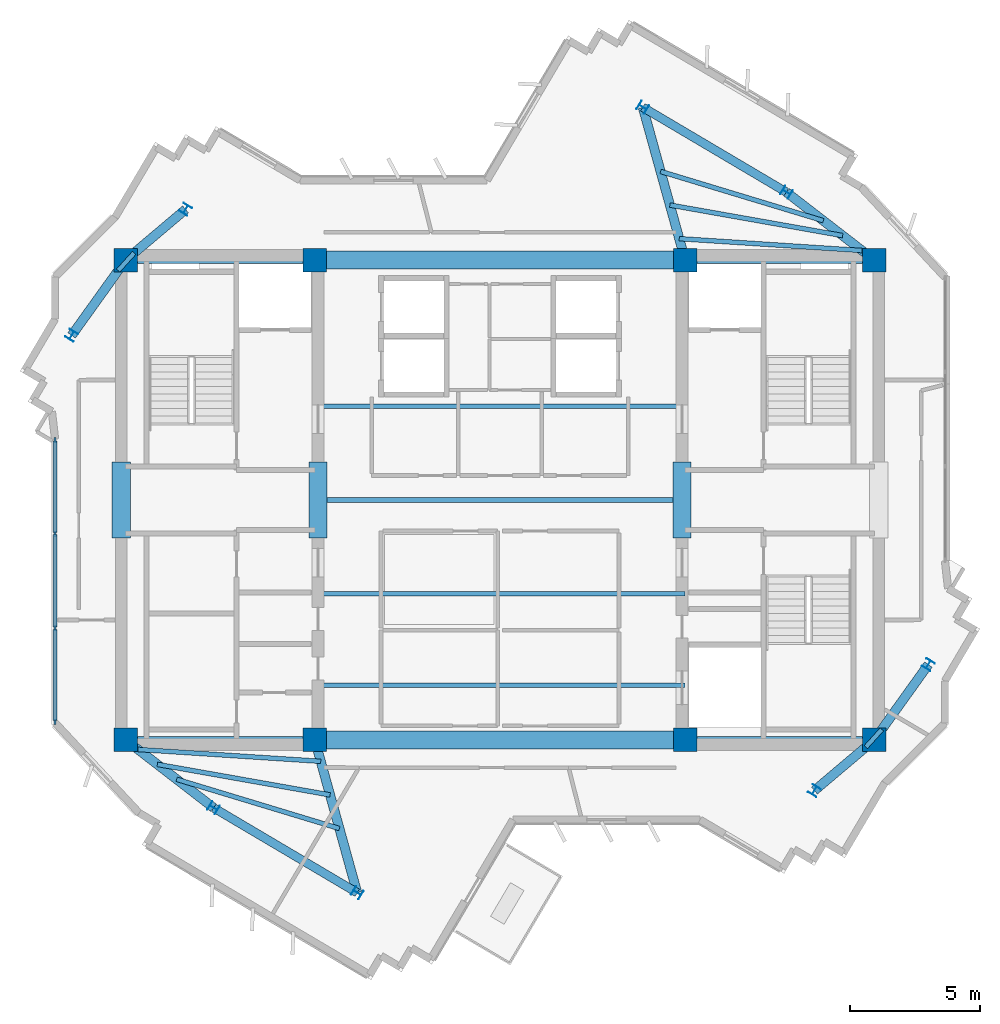
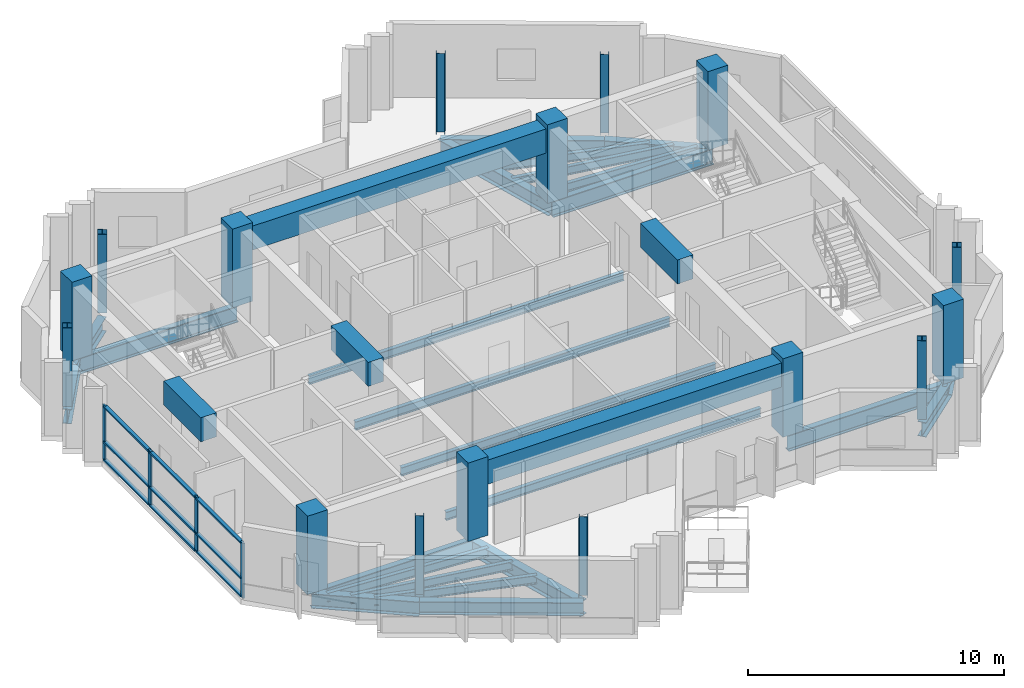
# One storey, part 1 of 10: 31 beams, 16 columns, 13 members, 1 element without a shape of its own.
"""IFC4 building model written with IfcOpenShell, lengths in metres."""

from ifc_helpers import new_model, si_unit, direction, frame, origin, origin_2d, place, context, subcontext, project, spatial, rectangle, i_section, extrude, source, transform, mapped, material, layer, layer_set, material_profile, profile_set, type_object, element, aggregate, save


model = new_model("IFC4")

# Units and contexts
model_context = context("Model", 3, precision=1e-05, world=origin(), true_north=direction((0.0, 1.0)))
body_context = subcontext(model_context, "Body", "Model", "MODEL_VIEW")
ifc_project = project(units=[si_unit("LENGTHUNIT", "METRE"), si_unit("AREAUNIT", "SQUARE_METRE"), si_unit("VOLUMEUNIT", "CUBIC_METRE"), si_unit("PLANEANGLEUNIT", "RADIAN"), si_unit("MASSUNIT", "GRAM", prefix="KILO")], contexts=[model_context])

# Site, building, storey
site_placement = place(None, origin())
site = spatial("IfcSite", under=ifc_project, at=site_placement, CompositionType="ELEMENT")
building_placement = place(site_placement, origin())
building = spatial("IfcBuilding", under=site, at=building_placement, Name="Zahravan Cultural Tower", CompositionType="ELEMENT")
storey_placement = place(building_placement, frame((0.0, 0.0, 342.300048828125)))
storey = spatial("IfcBuildingStorey", under=building, at=storey_placement, Name="L83", CompositionType="ELEMENT", Elevation=342.300048828125)

# Columns
ifc_material_1 = material(Name="Concrete C50/60", Category="concrete")
ifc_material_profile_1 = material_profile(ifc_material_1, rectangle(XDim=0.89990234375, YDim=0.89990234375, at=origin_2d()), Name="RC900X900")
ifc_profile_set_1 = profile_set([ifc_material_profile_1], Name="Concrete C50/60")
column_type_1 = type_object("IfcColumnType", Name="COL-RC900", PredefinedType="COLUMN", material=ifc_profile_set_1)
shared_shape_1 = source(origin(), body_context, "Body", "SweptSolid", [
    extrude(rectangle(XDim=0.89990234375, YDim=0.89990234375, at=origin_2d()), origin(), (0.0, 0.0, 1.0), 3.75),
])
for number, where, z_axis, x_axis, name in (
    (1, (21.64990234375, 17.800048828125, 0.0), (0.0, 0.0, 1.0), (1.0, 0.0, 0.0), "L83 Column CC-W1"),
    (2, (28.89990234375, 17.800048828125, 0.0), (0.0, 0.0, 1.0), (1.0, 0.0, 0.0), "L83 Column CC-W2"),
    (3, (21.64990234375, 36.199951171875, 0.0), (0.0, 0.0, 1.0), (1.0, 0.0, 0.0), "L83 Column CC-W3"),
    (4, (28.89990234375, 36.199951171875, 0.0), (0.0, 0.0, 1.0), (1.0, 0.0, 0.0), "L83 Column CC-W4"),
    (5, (43.10009765625, 17.800048828125, 0.0), (0.0, 0.0, 1.0), (1.0, 0.0, 0.0), "L83 Column CC-E1"),
    (6, (50.35009765625, 17.800048828125, 0.0), (0.0, 0.0, 1.0), (1.0, 0.0, 0.0), "L83 Column CC-E2"),
    (7, (43.10009765625, 36.199951171875, 0.0), (0.0, 0.0, 1.0), (1.0, 0.0, 0.0), "L83 Column CC-E3"),
    (8, (50.35009765625, 36.199951171875, 0.0), (0.0, 0.0, 1.0), (1.0, 0.0, 0.0), "L83 Column CC-E4"),
):
    element("IfcColumn", number, at=place(storey_placement, frame(where, z_axis=z_axis, x_axis=x_axis)), inside=storey, type_object=column_type_1, Name=name, PredefinedType="COLUMN", context=body_context, shape_type="MappedRepresentation", body=[
        mapped(shared_shape_1, transform((0.0, 0.0, 0.0), x_axis=(1.0, 0.0, 0.0), y_axis=(0.0, 1.0, 0.0), z_axis=(0.0, 0.0, 1.0), scale=1.0)),
    ])
ifc_material_2 = material(Name="Steel ASTM A992 Grade 50", Category="steel")
ifc_material_profile_2 = material_profile(ifc_material_2, i_section(OverallWidth=0.368896484375, OverallDepth=0.35595703125, WebThickness=0.01123046875, FlangeThickness=0.01806640625, FilletRadius=0.01806640625, at=origin_2d()), Name="W14X90")
ifc_profile_set_2 = profile_set([ifc_material_profile_2], Name="Steel ASTM A992 Grade 50")
column_type_2 = type_object("IfcColumnType", Name="COL-W14X90", PredefinedType="COLUMN", material=ifc_profile_set_2)
shared_shape_2 = source(origin(), body_context, "Body", "SweptSolid", [
    extrude(i_section(OverallWidth=0.368896484375, OverallDepth=0.35595703125, WebThickness=0.01123046875, FlangeThickness=0.01806640625, FilletRadius=0.01806640625, at=origin_2d()), origin(), (0.0, 0.0, 1.0), 3.75),
])
for number, where, z_axis, x_axis, name in (
    (9, (46.98388671875, 38.7998046875, 0.0), (0.0, 0.0, 1.0), (0.522498564716, 0.852640164354, 0.0), "L83 Column Z4C-E1"),
    (10, (41.474853515625, 42.058349609375, 0.0), (0.0, 0.0, 1.0), (0.522498564716, 0.852640164354, 0.0), "L83 Column Z4C-E2"),
    (11, (23.944580078125, 38.140625, 0.0), (0.0, 0.0, 1.0), (-0.852640164354, 0.522498564716, 0.0), "L83 Column Z4C-N1"),
    (12, (19.577392578125, 33.310791015625, 0.0), (0.0, 0.0, 1.0), (-0.852640164354, 0.522498564716, 0.0), "L83 Column Z4C-N2"),
    (13, (25.01611328125, 15.2001953125, 0.0), (0.0, 0.0, 1.0), (0.522498564716, 0.852640164354, 0.0), "L83 Column Z4C-W1"),
    (14, (30.525146484375, 11.941650390625, 0.0), (0.0, 0.0, 1.0), (0.522498564716, 0.852640164354, 0.0), "L83 Column Z4C-W2"),
    (15, (48.055419921875, 15.859375, 0.0), (0.0, 0.0, 1.0), (-0.852640164354, 0.522498564716, 0.0), "L83 Column Z4C-S1"),
    (16, (52.422607421875, 20.689208984375, 0.0), (0.0, 0.0, 1.0), (-0.852640164354, 0.522498564716, 0.0), "L83 Column Z4C-S2"),
):
    element("IfcColumn", number, at=place(storey_placement, frame(where, z_axis=z_axis, x_axis=x_axis)), inside=storey, type_object=column_type_2, Name=name, PredefinedType="COLUMN", context=body_context, shape_type="MappedRepresentation", body=[
        mapped(shared_shape_2, transform((0.0, 0.0, 0.0), x_axis=(1.0, 0.0, 0.0), y_axis=(0.0, 1.0, 0.0), z_axis=(0.0, 0.0, 1.0), scale=1.0)),
    ])

# Beams
ifc_material_profile_3 = material_profile(ifc_material_1, rectangle(XDim=0.699951171875, YDim=1.14990234375, at=origin_2d()), Name="RC700X1150")
ifc_profile_set_3 = profile_set([ifc_material_profile_3], Name="Concrete C50/60")
beam_type_1 = type_object("IfcBeamType", Name="BM-LN-RC700X1150", PredefinedType="LINTEL", material=ifc_profile_set_3)
shared_shape_3 = source(origin(), body_context, "Body", "SweptSolid", [
    extrude(rectangle(XDim=0.699951171875, YDim=1.14990234375, at=origin_2d()), origin(), (0.0, 0.0, 1.0), 14.2001953125),
])
for number, where, z_axis, x_axis, name in (
    (17, (28.89990234375, 17.800048828125, 2.925048828125), (1.0, 0.0, 0.0), (0.0, 1.0, 0.0), "L83 Beam LN-L83-S"),
    (18, (28.89990234375, 36.199951171875, 2.925048828125), (1.0, 0.0, 0.0), (0.0, 1.0, 0.0), "L83 Beam LN-L83-N"),
):
    element("IfcBeam", number, at=place(storey_placement, frame(where, z_axis=z_axis, x_axis=x_axis)), inside=storey, type_object=beam_type_1, Name=name, PredefinedType="LINTEL", context=body_context, shape_type="MappedRepresentation", body=[
        mapped(shared_shape_3, transform((0.0, 0.0, 0.0), x_axis=(1.0, 0.0, 0.0), y_axis=(0.0, 1.0, 0.0), z_axis=(0.0, 0.0, 1.0), scale=1.0)),
    ])
shared_shape_4 = source(origin(), body_context, "Body", "SweptSolid", [
    extrude(rectangle(XDim=0.699951171875, YDim=1.14990234375, at=origin_2d()), origin(), (0.0, 0.0, 1.0), 2.89990234375),
])
for number, where, z_axis, x_axis, name in (
    (19, (21.47509765625, 25.550048828125, 2.925048828125), (0.0, 1.0, 0.0), (-1.0, 0.0, 0.0), "L83 Beam LN-L83-PWW"),
    (20, (29.02490234375, 25.550048828125, 2.925048828125), (0.0, 1.0, 0.0), (-1.0, 0.0, 0.0), "L83 Beam LN-L83-PWE"),
    (21, (42.97509765625, 25.550048828125, 2.925048828125), (0.0, 1.0, 0.0), (-1.0, 0.0, 0.0), "L83 Beam LN-L83-PEW"),
):
    element("IfcBeam", number, at=place(storey_placement, frame(where, z_axis=z_axis, x_axis=x_axis)), inside=storey, type_object=beam_type_1, Name=name, PredefinedType="LINTEL", context=body_context, shape_type="MappedRepresentation", body=[
        mapped(shared_shape_4, transform((0.0, 0.0, 0.0), x_axis=(1.0, 0.0, 0.0), y_axis=(0.0, 1.0, 0.0), z_axis=(0.0, 0.0, 1.0), scale=1.0)),
    ])
ifc_material_profile_4 = material_profile(ifc_material_2, i_section(OverallWidth=0.26611328125, OverallDepth=0.780029296875, WebThickness=0.0166015625, FlangeThickness=0.030029296875, FilletRadius=0.01904296875, at=origin_2d()), Name="W30X148")
ifc_profile_set_4 = profile_set([ifc_material_profile_4], Name="Steel ASTM A992 Grade 50")
beam_type_2 = type_object("IfcBeamType", Name="BM-G-W30X148", PredefinedType="BEAM", material=ifc_profile_set_4)
shared_shape_5 = source(origin(), body_context, "Body", "SweptSolid", [
    extrude(i_section(OverallWidth=0.26611328125, OverallDepth=0.780029296875, WebThickness=0.0166015625, FlangeThickness=0.030029296875, FilletRadius=0.01904296875, at=origin_2d()), origin(), (0.0, 0.0, 1.0), 7.25),
])
for number, where, z_axis, x_axis, name in (
    (22, (21.64990234375, 17.800048828125, -0.64013671875), (1.0, 0.0, 0.0), (0.0, 1.0, 0.0), "L83 Beam BG-L83-01"),
    (23, (21.64990234375, 36.199951171875, -0.64013671875), (1.0, 0.0, 0.0), (0.0, 1.0, 0.0), "L83 Beam BG-L83-02"),
    (24, (43.10009765625, 17.800048828125, -0.64013671875), (1.0, 0.0, 0.0), (0.0, 1.0, 0.0), "L83 Beam BG-L83-04"),
    (25, (43.10009765625, 36.199951171875, -0.64013671875), (1.0, 0.0, 0.0), (0.0, 1.0, 0.0), "L83 Beam BG-L83-05"),
):
    element("IfcBeam", number, at=place(storey_placement, frame(where, z_axis=z_axis, x_axis=x_axis)), inside=storey, type_object=beam_type_2, Name=name, PredefinedType="BEAM", context=body_context, shape_type="MappedRepresentation", body=[
        mapped(shared_shape_5, transform((0.0, 0.0, 0.0), x_axis=(1.0, 0.0, 0.0), y_axis=(0.0, 1.0, 0.0), z_axis=(0.0, 0.0, 1.0), scale=1.0)),
    ])
ifc_material_profile_5 = material_profile(ifc_material_2, i_section(OverallWidth=0.35498046875, OverallDepth=0.696044921875, WebThickness=0.015380859375, FlangeThickness=0.025146484375, FilletRadius=0.01806640625, at=origin_2d()), Name="W27X146")
ifc_profile_set_5 = profile_set([ifc_material_profile_5], Name="Steel ASTM A992 Grade 50")
beam_type_3 = type_object("IfcBeamType", Name="BM-G-W27X146", PredefinedType="BEAM", material=ifc_profile_set_5)
shared_shape_6 = source(origin(), body_context, "Body", "SweptSolid", [
    extrude(i_section(OverallWidth=0.35498046875, OverallDepth=0.696044921875, WebThickness=0.015380859375, FlangeThickness=0.025146484375, FilletRadius=0.01806640625, at=origin_2d()), origin(), (0.0, 0.0, 1.0), 4.25341796875),
])
for number, where, z_axis, x_axis, name in (
    (26, (21.64990234375, 17.800048828125, -0.59814453125), (0.791433936253, -0.611254713313, 0.0), (0.611254713313, 0.791433936253, 0.0), "L83 Beam BG-L83-07"),
    (27, (50.35009765625, 36.199951171875, -0.59814453125), (-0.791433936253, 0.611254713313, 0.0), (-0.611254713313, -0.791433936253, 0.0), "L83 Beam BG-L83-11"),
):
    element("IfcBeam", number, at=place(storey_placement, frame(where, z_axis=z_axis, x_axis=x_axis)), inside=storey, type_object=beam_type_3, Name=name, PredefinedType="BEAM", context=body_context, shape_type="MappedRepresentation", body=[
        mapped(shared_shape_6, transform((0.0, 0.0, 0.0), x_axis=(1.0, 0.0, 0.0), y_axis=(0.0, 1.0, 0.0), z_axis=(0.0, 0.0, 1.0), scale=1.0)),
    ])
shared_shape_7 = source(origin(), body_context, "Body", "SweptSolid", [
    extrude(i_section(OverallWidth=0.35498046875, OverallDepth=0.696044921875, WebThickness=0.015380859375, FlangeThickness=0.025146484375, FilletRadius=0.01806640625, at=origin_2d()), origin(), (0.0, 0.0, 1.0), 6.07958984375),
])
for number, where, z_axis, x_axis, name in (
    (28, (28.89990234375, 17.800048828125, -0.59814453125), (0.267324894686, -0.963606455292, 0.0), (0.963606455292, 0.267324894686, 0.0), "L83 Beam BG-L83-08"),
    (29, (43.10009765625, 36.199951171875, -0.59814453125), (-0.267324894686, 0.963606455292, 0.0), (-0.963606455292, -0.267324894686, 0.0), "L83 Beam BG-L83-12"),
):
    element("IfcBeam", number, at=place(storey_placement, frame(where, z_axis=z_axis, x_axis=x_axis)), inside=storey, type_object=beam_type_3, Name=name, PredefinedType="BEAM", context=body_context, shape_type="MappedRepresentation", body=[
        mapped(shared_shape_7, transform((0.0, 0.0, 0.0), x_axis=(1.0, 0.0, 0.0), y_axis=(0.0, 1.0, 0.0), z_axis=(0.0, 0.0, 1.0), scale=1.0)),
    ])
shared_shape_8 = source(origin(), body_context, "Body", "SweptSolid", [
    extrude(i_section(OverallWidth=0.35498046875, OverallDepth=0.696044921875, WebThickness=0.015380859375, FlangeThickness=0.025146484375, FilletRadius=0.01806640625, at=origin_2d()), origin(), (0.0, 0.0, 1.0), 3.00537109375),
])
for number, where, z_axis, x_axis, name in (
    (30, (50.35009765625, 17.800048828125, -0.59814453125), (-0.763546494847, -0.645752855361, 0.0), (0.645752855361, -0.763546494847, 0.0), "L83 Beam BG-L83-09"),
    (31, (21.64990234375, 36.199951171875, -0.59814453125), (0.763546494847, 0.645752855361, 0.0), (-0.645752855361, 0.763546494847, 0.0), "L83 Beam BG-L83-13"),
):
    element("IfcBeam", number, at=place(storey_placement, frame(where, z_axis=z_axis, x_axis=x_axis)), inside=storey, type_object=beam_type_3, Name=name, PredefinedType="BEAM", context=body_context, shape_type="MappedRepresentation", body=[
        mapped(shared_shape_8, transform((0.0, 0.0, 0.0), x_axis=(1.0, 0.0, 0.0), y_axis=(0.0, 1.0, 0.0), z_axis=(0.0, 0.0, 1.0), scale=1.0)),
    ])
shared_shape_9 = source(origin(), body_context, "Body", "SweptSolid", [
    extrude(i_section(OverallWidth=0.35498046875, OverallDepth=0.696044921875, WebThickness=0.015380859375, FlangeThickness=0.025146484375, FilletRadius=0.01806640625, at=origin_2d()), origin(), (0.0, 0.0, 1.0), 3.5556640625),
])
for number, where, z_axis, x_axis, name in (
    (32, (50.35009765625, 17.800048828125, -0.59814453125), (0.58288028137, 0.812558045674, 0.0), (-0.812558045674, 0.58288028137, 0.0), "L83 Beam BG-L83-10"),
    (33, (21.64990234375, 36.199951171875, -0.59814453125), (-0.58288028137, -0.812558045674, 0.0), (0.812558045674, -0.58288028137, 0.0), "L83 Beam BG-L83-14"),
):
    element("IfcBeam", number, at=place(storey_placement, frame(where, z_axis=z_axis, x_axis=x_axis)), inside=storey, type_object=beam_type_3, Name=name, PredefinedType="BEAM", context=body_context, shape_type="MappedRepresentation", body=[
        mapped(shared_shape_9, transform((0.0, 0.0, 0.0), x_axis=(1.0, 0.0, 0.0), y_axis=(0.0, 1.0, 0.0), z_axis=(0.0, 0.0, 1.0), scale=1.0)),
    ])
ifc_material_profile_6 = material_profile(ifc_material_2, i_section(OverallWidth=0.326904296875, OverallDepth=0.6220703125, WebThickness=0.015380859375, FlangeThickness=0.0244140625, FilletRadius=0.014892578125, at=origin_2d()), Name="W24X131")
ifc_profile_set_6 = profile_set([ifc_material_profile_6], Name="Steel ASTM A992 Grade 50")
beam_type_4 = type_object("IfcBeamType", Name="BM-SP-W24X131", PredefinedType="SPANDREL", material=ifc_profile_set_6)
shared_shape_10 = source(origin(), body_context, "Body", "SweptSolid", [
    extrude(i_section(OverallWidth=0.326904296875, OverallDepth=0.6220703125, WebThickness=0.015380859375, FlangeThickness=0.0244140625, FilletRadius=0.014892578125, at=origin_2d()), origin(), (0.0, 0.0, 1.0), 6.400634765625),
])
for number, where, z_axis, x_axis, name in (
    (34, (25.01611328125, 15.2001953125, -0.56103515625), (0.860706991833, -0.509100652337, 0.0), (0.509100652337, 0.860706991833, 0.0), "L83 Beam SP-L83-15"),
    (35, (46.98388671875, 38.7998046875, -0.56103515625), (-0.860706991833, 0.509100652337, 0.0), (-0.509100652337, -0.860706991833, 0.0), "L83 Beam SP-L83-17"),
):
    element("IfcBeam", number, at=place(storey_placement, frame(where, z_axis=z_axis, x_axis=x_axis)), inside=storey, type_object=beam_type_4, Name=name, PredefinedType="SPANDREL", context=body_context, shape_type="MappedRepresentation", body=[
        mapped(shared_shape_10, transform((0.0, 0.0, 0.0), x_axis=(1.0, 0.0, 0.0), y_axis=(0.0, 1.0, 0.0), z_axis=(0.0, 0.0, 1.0), scale=1.0)),
    ])
ifc_material_profile_7 = material_profile(ifc_material_2, i_section(OverallWidth=0.177978515625, OverallDepth=0.406005859375, WebThickness=0.0078125, FlangeThickness=0.0126953125, FilletRadius=0.011962890625, at=origin_2d()), Name="W16X40")
ifc_profile_set_7 = profile_set([ifc_material_profile_7], Name="Steel ASTM A992 Grade 50")
beam_type_5 = type_object("IfcBeamType", Name="BM-J-W16X40", PredefinedType="JOIST", material=ifc_profile_set_7)
shared_shape_11 = source(origin(), body_context, "Body", "SweptSolid", [
    extrude(i_section(OverallWidth=0.177978515625, OverallDepth=0.406005859375, WebThickness=0.0078125, FlangeThickness=0.0126953125, FilletRadius=0.011962890625, at=origin_2d()), origin(), (0.0, 0.0, 1.0), 14.2001953125),
])
for number, where, z_axis, x_axis, name in (
    (36, (28.89990234375, 19.89990234375, -0.453125), (1.0, 0.0, 0.0), (0.0, 1.0, 0.0), "L83 Beam BJ-L83-20"),
    (37, (28.89990234375, 23.39990234375, -0.453125), (1.0, 0.0, 0.0), (0.0, 1.0, 0.0), "L83 Beam BJ-L83-21"),
    (38, (28.89990234375, 27.0, -0.453125), (1.0, 0.0, 0.0), (0.0, 1.0, 0.0), "L83 Beam BJ-L83-22"),
    (39, (28.89990234375, 30.60009765625, -0.453125), (1.0, 0.0, 0.0), (0.0, 1.0, 0.0), "L83 Beam BJ-L83-23"),
):
    element("IfcBeam", number, at=place(storey_placement, frame(where, z_axis=z_axis, x_axis=x_axis)), inside=storey, type_object=beam_type_5, Name=name, PredefinedType="JOIST", context=body_context, shape_type="MappedRepresentation", body=[
        mapped(shared_shape_11, transform((0.0, 0.0, 0.0), x_axis=(1.0, 0.0, 0.0), y_axis=(0.0, 1.0, 0.0), z_axis=(0.0, 0.0, 1.0), scale=1.0)),
    ])
shared_shape_12 = source(origin(), body_context, "Body", "SweptSolid", [
    extrude(i_section(OverallWidth=0.177978515625, OverallDepth=0.406005859375, WebThickness=0.0078125, FlangeThickness=0.0126953125, FilletRadius=0.011962890625, at=origin_2d()), origin(), (0.0, 0.0, 1.0), 7.02099609375),
])
for number, where, z_axis, x_axis, name in (
    (40, (22.121337890625, 17.43603515625, -0.453125), (0.99788584579, -0.064991066863, 0.0), (0.064991066863, 0.99788584579, 0.0), "L83 Beam BJ-L83-24"),
    (41, (49.878662109375, 36.56396484375, -0.453125), (-0.99788584579, 0.064991066863, 0.0), (-0.064991066863, -0.99788584579, 0.0), "L83 Beam BJ-L83-40"),
):
    element("IfcBeam", number, at=place(storey_placement, frame(where, z_axis=z_axis, x_axis=x_axis)), inside=storey, type_object=beam_type_5, Name=name, PredefinedType="JOIST", context=body_context, shape_type="MappedRepresentation", body=[
        mapped(shared_shape_12, transform((0.0, 0.0, 0.0), x_axis=(1.0, 0.0, 0.0), y_axis=(0.0, 1.0, 0.0), z_axis=(0.0, 0.0, 1.0), scale=1.0)),
    ])
shared_shape_13 = source(origin(), body_context, "Body", "SweptSolid", [
    extrude(i_section(OverallWidth=0.177978515625, OverallDepth=0.406005859375, WebThickness=0.0078125, FlangeThickness=0.0126953125, FilletRadius=0.011962890625, at=origin_2d()), origin(), (0.0, 0.0, 1.0), 6.726318359375),
])
for number, where, z_axis, x_axis, name in (
    (42, (22.86181640625, 16.864013671875, -0.453125), (0.98467447748, -0.17440233198, 0.0), (0.17440233198, 0.98467447748, 0.0), "L83 Beam BJ-L83-26"),
    (43, (49.13818359375, 37.135986328125, -0.453125), (-0.98467447748, 0.17440233198, 0.0), (-0.17440233198, -0.98467447748, 0.0), "L83 Beam BJ-L83-42"),
):
    element("IfcBeam", number, at=place(storey_placement, frame(where, z_axis=z_axis, x_axis=x_axis)), inside=storey, type_object=beam_type_5, Name=name, PredefinedType="JOIST", context=body_context, shape_type="MappedRepresentation", body=[
        mapped(shared_shape_13, transform((0.0, 0.0, 0.0), x_axis=(1.0, 0.0, 0.0), y_axis=(0.0, 1.0, 0.0), z_axis=(0.0, 0.0, 1.0), scale=1.0)),
    ])
shared_shape_14 = source(origin(), body_context, "Body", "SweptSolid", [
    extrude(i_section(OverallWidth=0.177978515625, OverallDepth=0.406005859375, WebThickness=0.0078125, FlangeThickness=0.0126953125, FilletRadius=0.011962890625, at=origin_2d()), origin(), (0.0, 0.0, 1.0), 6.520263671875),
])
for number, where, z_axis, x_axis, name in (
    (44, (23.602294921875, 16.292236328125, -0.453125), (0.957060297679, -0.289888921151, 0.0), (0.289888921151, 0.957060297679, 0.0), "L83 Beam BJ-L83-28"),
    (45, (48.397705078125, 37.707763671875, -0.453125), (-0.957060297679, 0.289888921151, 0.0), (-0.289888921151, -0.957060297679, 0.0), "L83 Beam BJ-L83-44"),
):
    element("IfcBeam", number, at=place(storey_placement, frame(where, z_axis=z_axis, x_axis=x_axis)), inside=storey, type_object=beam_type_5, Name=name, PredefinedType="JOIST", context=body_context, shape_type="MappedRepresentation", body=[
        mapped(shared_shape_14, transform((0.0, 0.0, 0.0), x_axis=(1.0, 0.0, 0.0), y_axis=(0.0, 1.0, 0.0), z_axis=(0.0, 0.0, 1.0), scale=1.0)),
    ])
shared_shape_15 = source(origin(), body_context, "Body", "SweptSolid", [
    extrude(i_section(OverallWidth=0.177978515625, OverallDepth=0.406005859375, WebThickness=0.0078125, FlangeThickness=0.0126953125, FilletRadius=0.011962890625, at=origin_2d()), origin(), (0.0, 0.0, 1.0), 0.91162109375),
])
for number, where, z_axis, x_axis, name in (
    (46, (50.02880859375, 17.5283203125, -0.453125), (0.670590689022, 0.741827559341, 0.0), (-0.741827559341, 0.670590689022, 0.0), "L83 Beam BJ-L83-32"),
    (47, (21.97119140625, 36.4716796875, -0.453125), (-0.670590689022, -0.741827559341, 0.0), (0.741827559341, -0.670590689022, 0.0), "L83 Beam BJ-L83-48"),
):
    element("IfcBeam", number, at=place(storey_placement, frame(where, z_axis=z_axis, x_axis=x_axis)), inside=storey, type_object=beam_type_5, Name=name, PredefinedType="JOIST", context=body_context, shape_type="MappedRepresentation", body=[
        mapped(shared_shape_15, transform((0.0, 0.0, 0.0), x_axis=(1.0, 0.0, 0.0), y_axis=(0.0, 1.0, 0.0), z_axis=(0.0, 0.0, 1.0), scale=1.0)),
    ])

# Curtain wall, members
ifc_material_3 = material(Name="Anodised bronze-aluminium mullion", Category="aluminium")
ifc_layer = layer(ifc_material_3, 0.219970703125)
ifc_layer_set = layer_set([ifc_layer], Name="Anodised bronze-aluminium mullion")
curtain_wall_type = type_object("IfcCurtainWallType", Name="CW-SYS-1", PredefinedType="USERDEFINED", material=ifc_layer_set)
curtain_wall_placement = place(storey_placement, origin())
curtain_wall = element("IfcCurtainWall", 48, at=curtain_wall_placement, inside=storey, type_object=curtain_wall_type, Name="L83 Recessed Curtain Wall CW-1.2", ObjectType="RECESSED GLAZING", PredefinedType="USERDEFINED")
ifc_material_profile_8 = material_profile(ifc_material_3, rectangle(XDim=0.080078125, YDim=0.219970703125, at=origin_2d()), Name="AL-M80X220")
ifc_profile_set_8 = profile_set([ifc_material_profile_8], Name="Anodised bronze-aluminium mullion")
member_type_1 = type_object("IfcMemberType", Name="CWM-CW-1", PredefinedType="MULLION", material=ifc_profile_set_8)
shared_shape_16 = source(origin(), body_context, "Body", "SweptSolid", [
    extrude(rectangle(XDim=0.080078125, YDim=0.219970703125, at=origin_2d()), origin(), (0.0, 0.0, 1.0), 2.619873046875),
])
member_1_placement = place(storey_placement, frame((18.93994140625, 18.498046875, 0.0), z_axis=(0.0, 0.0, 1.0), x_axis=(-1.0, 0.0, 0.0)))
member_1 = element("IfcMember", 49, at=member_1_placement, type_object=member_type_1, Name="CW-1 mullion 1", PredefinedType="MULLION", context=body_context, shape_type="MappedRepresentation", body=[
    mapped(shared_shape_16, transform((0.0, 0.0, 0.0), x_axis=(1.0, 0.0, 0.0), y_axis=(0.0, 1.0, 0.0), z_axis=(0.0, 0.0, 1.0), scale=1.0)),
])
member_2_placement = place(storey_placement, frame((18.93994140625, 22.083984375, 0.0), z_axis=(0.0, 0.0, 1.0), x_axis=(-1.0, 0.0, 0.0)))
member_2 = element("IfcMember", 50, at=member_2_placement, type_object=member_type_1, Name="CW-1 mullion 2", PredefinedType="MULLION", context=body_context, shape_type="MappedRepresentation", body=[
    mapped(shared_shape_16, transform((0.0, 0.0, 0.0), x_axis=(1.0, 0.0, 0.0), y_axis=(0.0, 1.0, 0.0), z_axis=(0.0, 0.0, 1.0), scale=1.0)),
])
member_3_placement = place(storey_placement, frame((18.93994140625, 25.709716796875, 0.0), z_axis=(0.0, 0.0, 1.0), x_axis=(-1.0, 0.0, 0.0)))
member_3 = element("IfcMember", 51, at=member_3_placement, type_object=member_type_1, Name="CW-1 mullion 3", PredefinedType="MULLION", context=body_context, shape_type="MappedRepresentation", body=[
    mapped(shared_shape_16, transform((0.0, 0.0, 0.0), x_axis=(1.0, 0.0, 0.0), y_axis=(0.0, 1.0, 0.0), z_axis=(0.0, 0.0, 1.0), scale=1.0)),
])
member_4_placement = place(storey_placement, frame((18.93994140625, 29.295654296875, 0.0), z_axis=(0.0, 0.0, 1.0), x_axis=(-1.0, 0.0, 0.0)))
member_4 = element("IfcMember", 52, at=member_4_placement, type_object=member_type_1, Name="CW-1 mullion 4", PredefinedType="MULLION", context=body_context, shape_type="MappedRepresentation", body=[
    mapped(shared_shape_16, transform((0.0, 0.0, 0.0), x_axis=(1.0, 0.0, 0.0), y_axis=(0.0, 1.0, 0.0), z_axis=(0.0, 0.0, 1.0), scale=1.0)),
])
ifc_material_profile_9 = material_profile(ifc_material_3, rectangle(XDim=0.159912109375, YDim=0.080078125, at=origin_2d()), Name="AL-T80X160")
ifc_profile_set_9 = profile_set([ifc_material_profile_9], Name="Anodised bronze-aluminium mullion")
member_type_2 = type_object("IfcMemberType", Name="CWT-CW-1", PredefinedType="USERDEFINED", material=ifc_profile_set_9)
shared_shape_17 = source(origin(), body_context, "Body", "SweptSolid", [
    extrude(rectangle(XDim=0.159912109375, YDim=0.080078125, at=origin_2d()), origin(), (0.0, 0.0, 1.0), 3.505859375),
])
member_5_placement = place(storey_placement, frame((18.93994140625, 18.5380859375, 0.0400390625), z_axis=(0.0, 1.0, 0.0), x_axis=(-1.0, 0.0, 0.0)))
member_5 = element("IfcMember", 53, at=member_5_placement, type_object=member_type_2, Name="CW-1 transom 1.1", ObjectType="TRANSOM", PredefinedType="USERDEFINED", context=body_context, shape_type="MappedRepresentation", body=[
    mapped(shared_shape_17, transform((0.0, 0.0, 0.0), x_axis=(1.0, 0.0, 0.0), y_axis=(0.0, 1.0, 0.0), z_axis=(0.0, 0.0, 1.0), scale=1.0)),
])
member_6_placement = place(storey_placement, frame((18.93994140625, 18.5380859375, 0.89990234375), z_axis=(0.0, 1.0, 0.0), x_axis=(-1.0, 0.0, 0.0)))
member_6 = element("IfcMember", 54, at=member_6_placement, type_object=member_type_2, Name="CW-1 transom 1.2", ObjectType="TRANSOM", PredefinedType="USERDEFINED", context=body_context, shape_type="MappedRepresentation", body=[
    mapped(shared_shape_17, transform((0.0, 0.0, 0.0), x_axis=(1.0, 0.0, 0.0), y_axis=(0.0, 1.0, 0.0), z_axis=(0.0, 0.0, 1.0), scale=1.0)),
])
member_7_placement = place(storey_placement, frame((18.93994140625, 18.5380859375, 2.579833984375), z_axis=(0.0, 1.0, 0.0), x_axis=(-1.0, 0.0, 0.0)))
member_7 = element("IfcMember", 55, at=member_7_placement, type_object=member_type_2, Name="CW-1 transom 1.3", ObjectType="TRANSOM", PredefinedType="USERDEFINED", context=body_context, shape_type="MappedRepresentation", body=[
    mapped(shared_shape_17, transform((0.0, 0.0, 0.0), x_axis=(1.0, 0.0, 0.0), y_axis=(0.0, 1.0, 0.0), z_axis=(0.0, 0.0, 1.0), scale=1.0)),
])
member_8_placement = place(storey_placement, frame((18.93994140625, 25.749755859375, 0.0400390625), z_axis=(0.0, 1.0, 0.0), x_axis=(-1.0, 0.0, 0.0)))
member_8 = element("IfcMember", 56, at=member_8_placement, type_object=member_type_2, Name="CW-1 transom 3.1", ObjectType="TRANSOM", PredefinedType="USERDEFINED", context=body_context, shape_type="MappedRepresentation", body=[
    mapped(shared_shape_17, transform((0.0, 0.0, 0.0), x_axis=(1.0, 0.0, 0.0), y_axis=(0.0, 1.0, 0.0), z_axis=(0.0, 0.0, 1.0), scale=1.0)),
])
member_9_placement = place(storey_placement, frame((18.93994140625, 25.749755859375, 0.89990234375), z_axis=(0.0, 1.0, 0.0), x_axis=(-1.0, 0.0, 0.0)))
member_9 = element("IfcMember", 57, at=member_9_placement, type_object=member_type_2, Name="CW-1 transom 3.2", ObjectType="TRANSOM", PredefinedType="USERDEFINED", context=body_context, shape_type="MappedRepresentation", body=[
    mapped(shared_shape_17, transform((0.0, 0.0, 0.0), x_axis=(1.0, 0.0, 0.0), y_axis=(0.0, 1.0, 0.0), z_axis=(0.0, 0.0, 1.0), scale=1.0)),
])
member_10_placement = place(storey_placement, frame((18.93994140625, 25.749755859375, 2.579833984375), z_axis=(0.0, 1.0, 0.0), x_axis=(-1.0, 0.0, 0.0)))
member_10 = element("IfcMember", 58, at=member_10_placement, type_object=member_type_2, Name="CW-1 transom 3.3", ObjectType="TRANSOM", PredefinedType="USERDEFINED", context=body_context, shape_type="MappedRepresentation", body=[
    mapped(shared_shape_17, transform((0.0, 0.0, 0.0), x_axis=(1.0, 0.0, 0.0), y_axis=(0.0, 1.0, 0.0), z_axis=(0.0, 0.0, 1.0), scale=1.0)),
])
shared_shape_18 = source(origin(), body_context, "Body", "SweptSolid", [
    extrude(rectangle(XDim=0.159912109375, YDim=0.080078125, at=origin_2d()), origin(), (0.0, 0.0, 1.0), 3.5458984375),
])
member_11_placement = place(storey_placement, frame((18.93994140625, 22.123779296875, 0.0400390625), z_axis=(0.0, 1.0, 0.0), x_axis=(-1.0, 0.0, 0.0)))
member_11 = element("IfcMember", 59, at=member_11_placement, type_object=member_type_2, Name="CW-1 transom 2.1", ObjectType="TRANSOM", PredefinedType="USERDEFINED", context=body_context, shape_type="MappedRepresentation", body=[
    mapped(shared_shape_18, transform((0.0, 0.0, 0.0), x_axis=(1.0, 0.0, 0.0), y_axis=(0.0, 1.0, 0.0), z_axis=(0.0, 0.0, 1.0), scale=1.0)),
])
member_12_placement = place(storey_placement, frame((18.93994140625, 22.123779296875, 0.89990234375), z_axis=(0.0, 1.0, 0.0), x_axis=(-1.0, 0.0, 0.0)))
member_12 = element("IfcMember", 60, at=member_12_placement, type_object=member_type_2, Name="CW-1 transom 2.2", ObjectType="TRANSOM", PredefinedType="USERDEFINED", context=body_context, shape_type="MappedRepresentation", body=[
    mapped(shared_shape_18, transform((0.0, 0.0, 0.0), x_axis=(1.0, 0.0, 0.0), y_axis=(0.0, 1.0, 0.0), z_axis=(0.0, 0.0, 1.0), scale=1.0)),
])
member_13_placement = place(storey_placement, frame((18.93994140625, 22.123779296875, 2.579833984375), z_axis=(0.0, 1.0, 0.0), x_axis=(-1.0, 0.0, 0.0)))
member_13 = element("IfcMember", 61, at=member_13_placement, type_object=member_type_2, Name="CW-1 transom 2.3", ObjectType="TRANSOM", PredefinedType="USERDEFINED", context=body_context, shape_type="MappedRepresentation", body=[
    mapped(shared_shape_18, transform((0.0, 0.0, 0.0), x_axis=(1.0, 0.0, 0.0), y_axis=(0.0, 1.0, 0.0), z_axis=(0.0, 0.0, 1.0), scale=1.0)),
])
aggregate(curtain_wall, [member_1, member_2, member_3, member_4, member_5, member_6, member_7, member_11, member_12, member_13, member_8, member_9, member_10])

save(model, "model.ifc")
